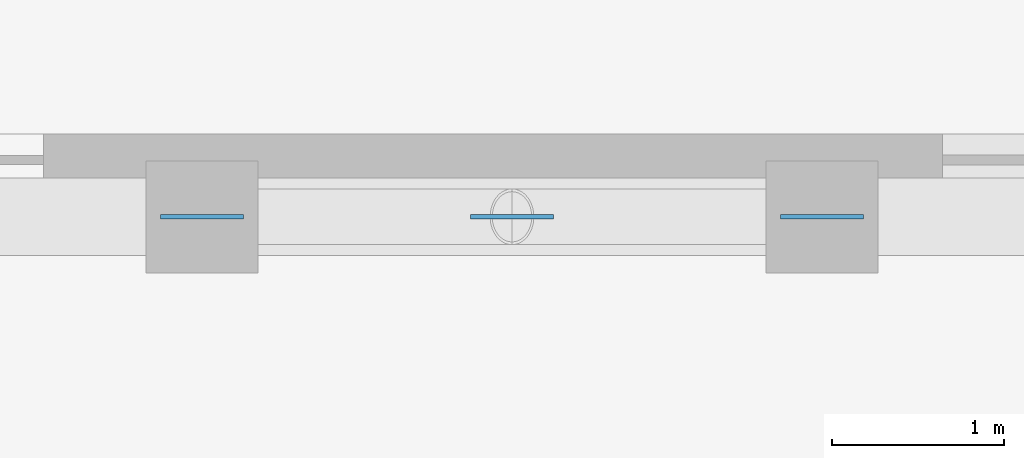
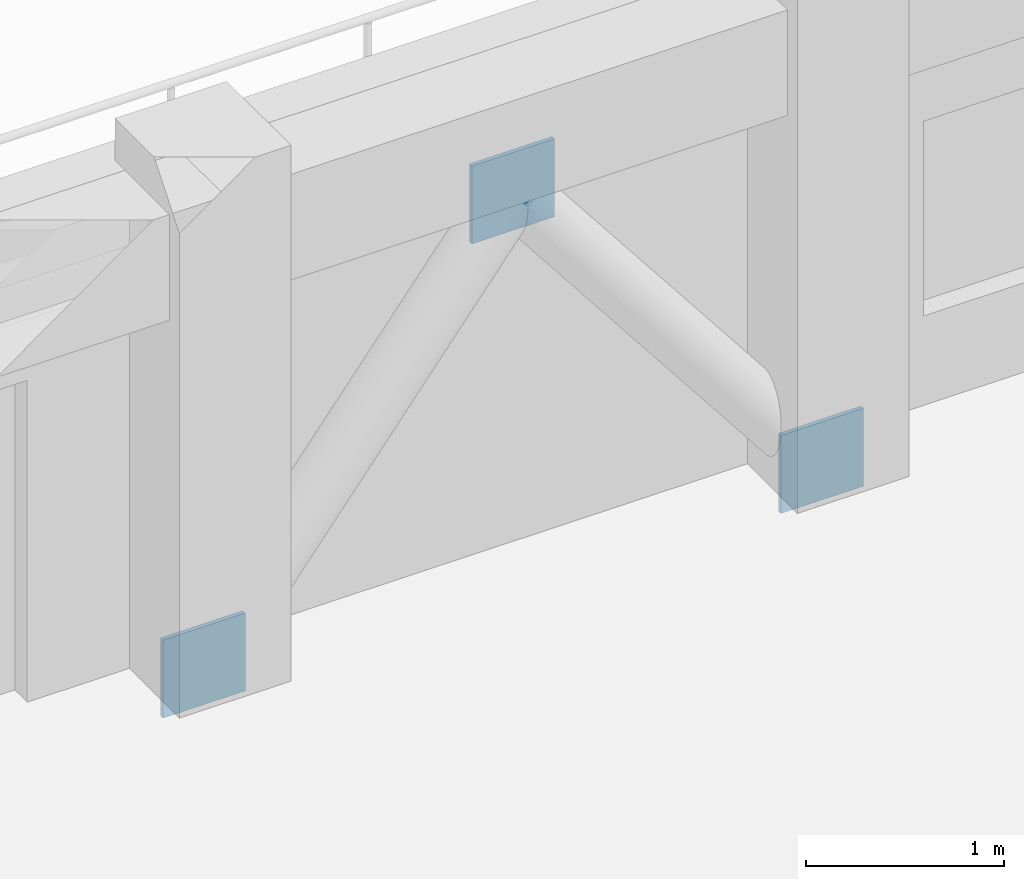
# One storey, part 12 of 14: 3 discrete accessories.
"""IFC4 building model written with IfcOpenShell, lengths in metres."""

from ifc_helpers import new_model, si_unit, derived_unit, direction, frame, origin, origin_2d, place, context, subcontext, project, spatial, rectangle, extrude, material, layer, layer_set, type_object, element, save


model = new_model("IFC4")

# Units and contexts
model_context = context("Model", 3, precision=1e-05, world=origin(), true_north=direction((0.0, 1.0)))
body_context = subcontext(model_context, "Body", "Model", "MODEL_VIEW")
ifc_project = project(units=[si_unit("LENGTHUNIT", "METRE"), si_unit("AREAUNIT", "SQUARE_METRE"), si_unit("VOLUMEUNIT", "CUBIC_METRE"), si_unit("PLANEANGLEUNIT", "RADIAN"), si_unit("MASSUNIT", "GRAM", prefix="KILO"), derived_unit("THERMALTRANSMITTANCEUNIT", [(si_unit("MASSUNIT", "GRAM", prefix="KILO"), 1), (si_unit("TIMEUNIT", "SECOND"), -3), (si_unit("THERMODYNAMICTEMPERATUREUNIT", "KELVIN"), -1)])], contexts=[model_context])

# Site, building, storey
site_placement = place(None, origin())
site = spatial("IfcSite", under=ifc_project, at=site_placement, CompositionType="ELEMENT")
building_placement = place(site_placement, origin())
building = spatial("IfcBuilding", under=site, at=building_placement, Name="Korrvale Station Residences", CompositionType="ELEMENT")
storey_placement = place(building_placement, frame((0.0, 0.0, 174.39990234375)))
storey = spatial("IfcBuildingStorey", under=building, at=storey_placement, Name="L50", CompositionType="ELEMENT", Elevation=174.39990234375)

# Discrete accessories
ifc_material = material(Name="Steel S355", Category="steel")
ifc_layer = layer(ifc_material, 0.02490234375, Name="Steel S355")
ifc_layer_set = layer_set([ifc_layer], Name="Steel S355")
discrete_accessory_type = type_object("IfcDiscreteAccessoryType", Name="ACC-GUSSET-25", PredefinedType="BRACKET", material=ifc_layer_set)
for number, where, z_axis, x_axis, name in (
    (1, (23.199951171875, 39.719970703125, -0.219970703125), (0.0, 0.0, 1.0), (1.0, 0.0, 0.0), "L50 N Brace End Gusset Connection A"),
    (2, (26.800048828125, 39.719970703125, -0.219970703125), (0.0, 0.0, 1.0), (1.0, 0.0, 0.0), "L50 N Brace End Gusset Connection B"),
    (3, (25.0, 39.719970703125, 2.070068359375), (0.0, 0.0, 1.0), (1.0, 0.0, 0.0), "L50 N Brace End Gusset Connection M"),
):
    element("IfcDiscreteAccessory", number, at=place(storey_placement, frame(where, z_axis=z_axis, x_axis=x_axis)), inside=storey, type_object=discrete_accessory_type, Name=name, PredefinedType="BRACKET", context=body_context, shape_type="SweptSolid", body=[
        extrude(rectangle(XDim=0.47998046875, YDim=0.02490234375, at=origin_2d()), origin(), (0.0, 0.0, 1.0), 0.47998046875),
    ])

save(model, "model.ifc")
